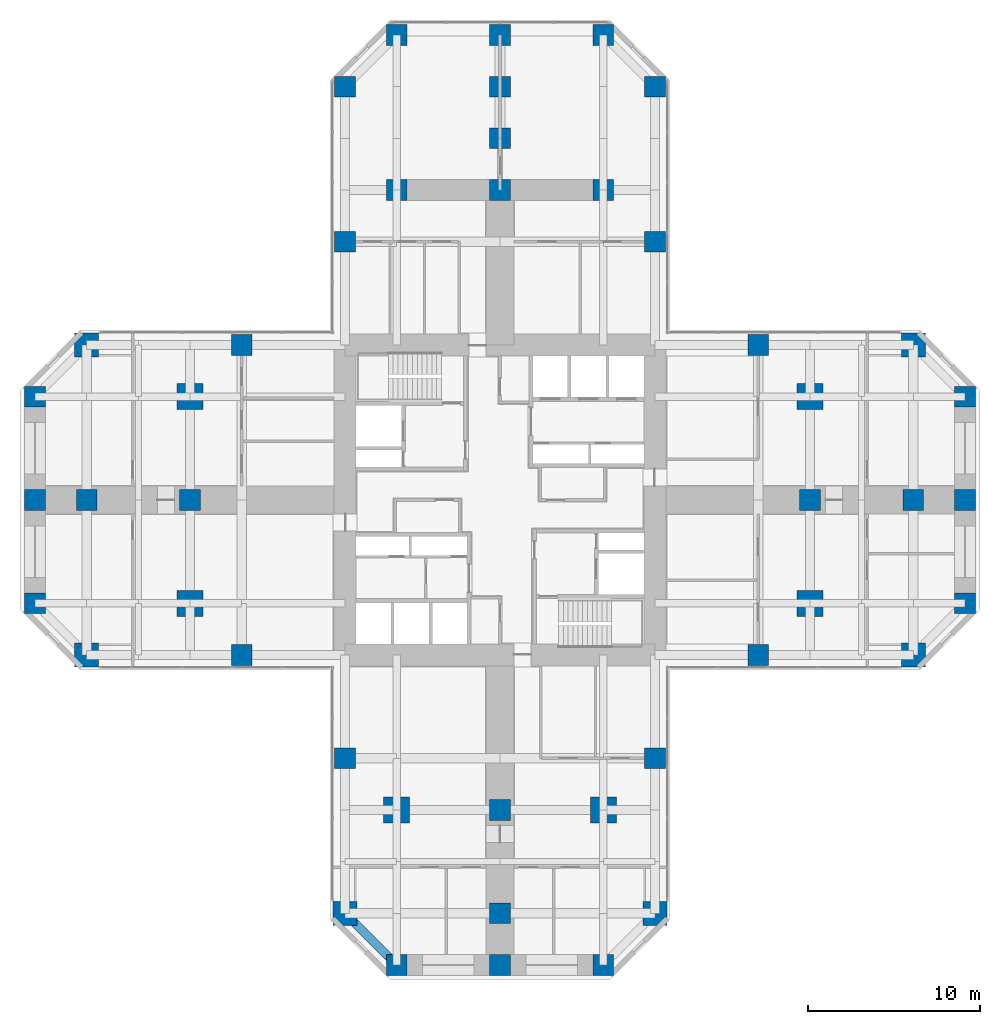
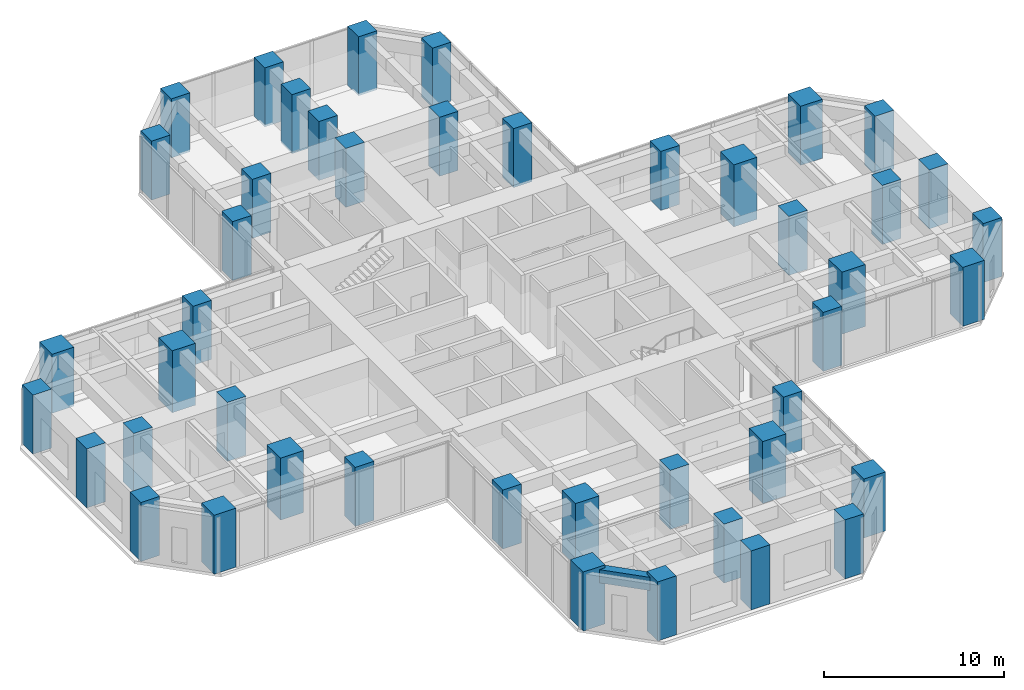
# One storey, part 1 of 13: 45 columns, 1 beam.
"""IFC4 building model written with IfcOpenShell, lengths in metres."""

from ifc_helpers import new_model, si_unit, direction, frame, origin, origin_2d, place, context, subcontext, project, spatial, rectangle, extrude, material, material_profile, profile_set, type_object, element, save


model = new_model("IFC4")

# Units and contexts
model_context = context("Model", 3, precision=1e-05, world=origin(), true_north=direction((0.0, 1.0)))
body_context = subcontext(model_context, "Body", "Model", "MODEL_VIEW")
ifc_project = project(units=[si_unit("LENGTHUNIT", "METRE"), si_unit("AREAUNIT", "SQUARE_METRE"), si_unit("VOLUMEUNIT", "CUBIC_METRE"), si_unit("PLANEANGLEUNIT", "RADIAN"), si_unit("MASSUNIT", "GRAM", prefix="KILO")], contexts=[model_context])

# Site, building, storey
site_placement = place(None, origin())
site = spatial("IfcSite", under=ifc_project, at=site_placement, CompositionType="ELEMENT")
building_placement = place(site_placement, origin())
building = spatial("IfcBuilding", under=site, at=building_placement, Name="Torre Cruceta", CompositionType="ELEMENT")
storey_placement = place(building_placement, frame((0.0, 0.0, 23.5)))
storey = spatial("IfcBuildingStorey", under=building, at=storey_placement, Name="L05", CompositionType="ELEMENT", Elevation=23.5)

# Columns
ifc_material_1 = material(Name="Concrete G60 (fck 60 MPa)", Category="concrete")
ifc_material_profile_1 = material_profile(ifc_material_1, rectangle(XDim=1.199951171875, YDim=1.199951171875, at=origin_2d()), Name="RC 1200X1200")
ifc_profile_set_1 = profile_set([ifc_material_profile_1], Name="Concrete G60 (fck 60 MPa)")
column_type_1 = type_object("IfcColumnType", Name="COLUMN RC 1200X1200", PredefinedType="COLUMN", material=ifc_profile_set_1)
for number, where, z_axis, x_axis, name in (
    (1, (9.0, 15.0, 0.0), (0.0, 0.0, 1.0), (1.0, 0.0, 0.0), "C3 L05 N side"),
    (2, (9.0, 24.0, 0.0), (0.0, 0.0, 1.0), (1.0, 0.0, 0.0), "C3 L05 N chamfer"),
    (3, (-9.0, 15.0, 0.0), (0.0, 0.0, 1.0), (1.0, 0.0, 0.0), "C3 L05 N side"),
    (4, (-9.0, 24.0, 0.0), (0.0, 0.0, 1.0), (1.0, 0.0, 0.0), "C3 L05 N chamfer"),
    (5, (6.0, 27.0, 0.0), (0.0, 0.0, 1.0), (1.0, 0.0, 0.0), "C3 L05 N tip"),
    (6, (0.0, 27.0, 0.0), (0.0, 0.0, 1.0), (1.0, 0.0, 0.0), "C3 L05 N tip"),
    (7, (-6.0, 27.0, 0.0), (0.0, 0.0, 1.0), (1.0, 0.0, 0.0), "C3 L05 N tip"),
    (8, (15.0, -9.0, 0.0), (0.0, 0.0, 1.0), (1.0, 0.0, 0.0), "C3 L05 E side"),
    (9, (15.0, 9.0, 0.0), (0.0, 0.0, 1.0), (1.0, 0.0, 0.0), "C3 L05 E side"),
    (10, (27.0, -6.0, 0.0), (0.0, 0.0, 1.0), (1.0, 0.0, 0.0), "C3 L05 E tip"),
    (11, (27.0, 0.0, 0.0), (0.0, 0.0, 1.0), (1.0, 0.0, 0.0), "C3 L05 E tip"),
    (12, (27.0, 6.0, 0.0), (0.0, 0.0, 1.0), (1.0, 0.0, 0.0), "C3 L05 E tip"),
    (13, (-9.0, -15.0, 0.0), (0.0, 0.0, 1.0), (1.0, 0.0, 0.0), "C3 L05 S side"),
    (14, (9.0, -15.0, 0.0), (0.0, 0.0, 1.0), (1.0, 0.0, 0.0), "C3 L05 S side"),
    (15, (-6.0, -27.0, 0.0), (0.0, 0.0, 1.0), (1.0, 0.0, 0.0), "C3 L05 S tip"),
    (16, (0.0, -27.0, 0.0), (0.0, 0.0, 1.0), (1.0, 0.0, 0.0), "C3 L05 S tip"),
    (17, (6.0, -27.0, 0.0), (0.0, 0.0, 1.0), (1.0, 0.0, 0.0), "C3 L05 S tip"),
    (18, (-15.0, 9.0, 0.0), (0.0, 0.0, 1.0), (1.0, 0.0, 0.0), "C3 L05 W side"),
    (19, (-15.0, -9.0, 0.0), (0.0, 0.0, 1.0), (1.0, 0.0, 0.0), "C3 L05 W side"),
    (20, (-27.0, 6.0, 0.0), (0.0, 0.0, 1.0), (1.0, 0.0, 0.0), "C3 L05 W tip"),
    (21, (-27.0, 0.0, 0.0), (0.0, 0.0, 1.0), (1.0, 0.0, 0.0), "C3 L05 W tip"),
    (22, (-27.0, -6.0, 0.0), (0.0, 0.0, 1.0), (1.0, 0.0, 0.0), "C3 L05 W tip"),
    (23, (6.0, 18.0, 0.0), (0.0, 0.0, 1.0), (1.0, 0.0, 0.0), "C3 L05 N interior"),
    (24, (0.0, 18.0, 0.0), (0.0, 0.0, 1.0), (1.0, 0.0, 0.0), "C3 L05 N interior"),
    (25, (-6.0, 18.0, 0.0), (0.0, 0.0, 1.0), (1.0, 0.0, 0.0), "C3 L05 N interior"),
    (26, (0.0, 21.0, 0.0), (0.0, 0.0, 1.0), (1.0, 0.0, 0.0), "C3 L05 N interior"),
    (27, (0.0, 24.0, 0.0), (0.0, 0.0, 1.0), (1.0, 0.0, 0.0), "C3 L05 N interior"),
    (28, (18.0, 0.0, 0.0), (0.0, 0.0, 1.0), (1.0, 0.0, 0.0), "C3 L05 E interior"),
    (29, (24.0, 0.0, 0.0), (0.0, 0.0, 1.0), (1.0, 0.0, 0.0), "C3 L05 E interior"),
    (30, (0.0, -18.0, 0.0), (0.0, 0.0, 1.0), (1.0, 0.0, 0.0), "C3 L05 S interior"),
    (31, (0.0, -24.0, 0.0), (0.0, 0.0, 1.0), (1.0, 0.0, 0.0), "C3 L05 S interior"),
    (32, (-18.0, 0.0, 0.0), (0.0, 0.0, 1.0), (1.0, 0.0, 0.0), "C3 L05 W interior"),
    (33, (-24.0, 0.0, 0.0), (0.0, 0.0, 1.0), (1.0, 0.0, 0.0), "C3 L05 W interior"),
):
    element("IfcColumn", number, at=place(storey_placement, frame(where, z_axis=z_axis, x_axis=x_axis)), inside=storey, type_object=column_type_1, Name=name, PredefinedType="COLUMN", context=body_context, shape_type="SweptSolid", body=[
        extrude(rectangle(XDim=1.199951171875, YDim=1.199951171875, at=origin_2d()), origin(), (0.0, 0.0, 1.0), 4.0),
    ])
ifc_material_2 = material(Name="Concrete G60 (fck 60 MPa)", Category="concrete")
ifc_material_profile_2 = material_profile(ifc_material_2, rectangle(XDim=1.39990234375, YDim=1.39990234375, at=origin_2d()), Name="RC 1400X1400")
ifc_profile_set_2 = profile_set([ifc_material_profile_2], Name="Concrete G60 (fck 60 MPa)")
column_type_2 = type_object("IfcColumnType", Name="COLUMN RC 1400X1400", PredefinedType="COLUMN", material=ifc_profile_set_2)
for number, where, z_axis, x_axis, name in (
    (34, (24.0, -9.0, 0.0), (0.0, 0.0, 1.0), (1.0, 0.0, 0.0), "C1 L05 E chamfer"),
    (35, (24.0, 9.0, 0.0), (0.0, 0.0, 1.0), (1.0, 0.0, 0.0), "C1 L05 E chamfer"),
    (36, (-9.0, -24.0, 0.0), (0.0, 0.0, 1.0), (1.0, 0.0, 0.0), "C1 L05 S chamfer"),
    (37, (9.0, -24.0, 0.0), (0.0, 0.0, 1.0), (1.0, 0.0, 0.0), "C1 L05 S chamfer"),
    (38, (-24.0, 9.0, 0.0), (0.0, 0.0, 1.0), (1.0, 0.0, 0.0), "C1 L05 W chamfer"),
    (39, (-24.0, -9.0, 0.0), (0.0, 0.0, 1.0), (1.0, 0.0, 0.0), "C1 L05 W chamfer"),
):
    element("IfcColumn", number, at=place(storey_placement, frame(where, z_axis=z_axis, x_axis=x_axis)), inside=storey, type_object=column_type_2, Name=name, PredefinedType="COLUMN", context=body_context, shape_type="SweptSolid", body=[
        extrude(rectangle(XDim=1.39990234375, YDim=1.39990234375, at=origin_2d()), origin(), (0.0, 0.0, 1.0), 4.0),
    ])
ifc_material_3 = material(Name="Concrete G60 (fck 60 MPa)", Category="concrete")
ifc_material_profile_3 = material_profile(ifc_material_3, rectangle(XDim=1.5, YDim=1.5, at=origin_2d()), Name="RC 1500X1500")
ifc_profile_set_3 = profile_set([ifc_material_profile_3], Name="Concrete G60 (fck 60 MPa)")
column_type_3 = type_object("IfcColumnType", Name="COLUMN RC 1500X1500", PredefinedType="COLUMN", material=ifc_profile_set_3)
for number, where, z_axis, x_axis, name in (
    (40, (18.0, -6.0, -0.199951171875), (0.0, 0.0, 1.0), (1.0, 0.0, 0.0), "C0 L05 E interior"),
    (41, (18.0, 6.0, -0.199951171875), (0.0, 0.0, 1.0), (1.0, 0.0, 0.0), "C0 L05 E interior"),
    (42, (-6.0, -18.0, -0.199951171875), (0.0, 0.0, 1.0), (1.0, 0.0, 0.0), "C0 L05 S interior"),
    (43, (6.0, -18.0, -0.199951171875), (0.0, 0.0, 1.0), (1.0, 0.0, 0.0), "C0 L05 S interior"),
    (44, (-18.0, 6.0, -0.199951171875), (0.0, 0.0, 1.0), (1.0, 0.0, 0.0), "C0 L05 W interior"),
    (45, (-18.0, -6.0, -0.199951171875), (0.0, 0.0, 1.0), (1.0, 0.0, 0.0), "C0 L05 W interior"),
):
    element("IfcColumn", number, at=place(storey_placement, frame(where, z_axis=z_axis, x_axis=x_axis)), inside=storey, type_object=column_type_3, Name=name, PredefinedType="COLUMN", context=body_context, shape_type="SweptSolid", body=[
        extrude(rectangle(XDim=1.5, YDim=1.5, at=origin_2d()), origin(), (0.0, 0.0, 1.0), 4.199951171875),
    ])

# Beam
ifc_material_4 = material(Name="Concrete G60 (fck 60 MPa)", Category="concrete")
ifc_material_profile_4 = material_profile(ifc_material_4, rectangle(XDim=0.5, YDim=0.89990234375, at=origin_2d()), Name="RC 500X900")
ifc_profile_set_4 = profile_set([ifc_material_profile_4], Name="Concrete G60 (fck 60 MPa)")
beam_type = type_object("IfcBeamType", Name="SPANDREL BEAM RC 500X900", PredefinedType="SPANDREL", material=ifc_profile_set_4)
beam_placement = place(storey_placement, frame((-9.0, -24.0, 3.35009765625), z_axis=(0.707106781187, -0.707106781187, 0.0), x_axis=(0.707106781187, 0.707106781187, 0.0)))
element("IfcBeam", 46, at=beam_placement, inside=storey, type_object=beam_type, Name="SB4 L05 S side- 5", PredefinedType="SPANDREL", context=body_context, shape_type="SweptSolid", body=[
    extrude(rectangle(XDim=0.5, YDim=0.89990234375, at=origin_2d()), origin(), (0.0, 0.0, 1.0), 4.24267578125),
])

save(model, "model.ifc")
